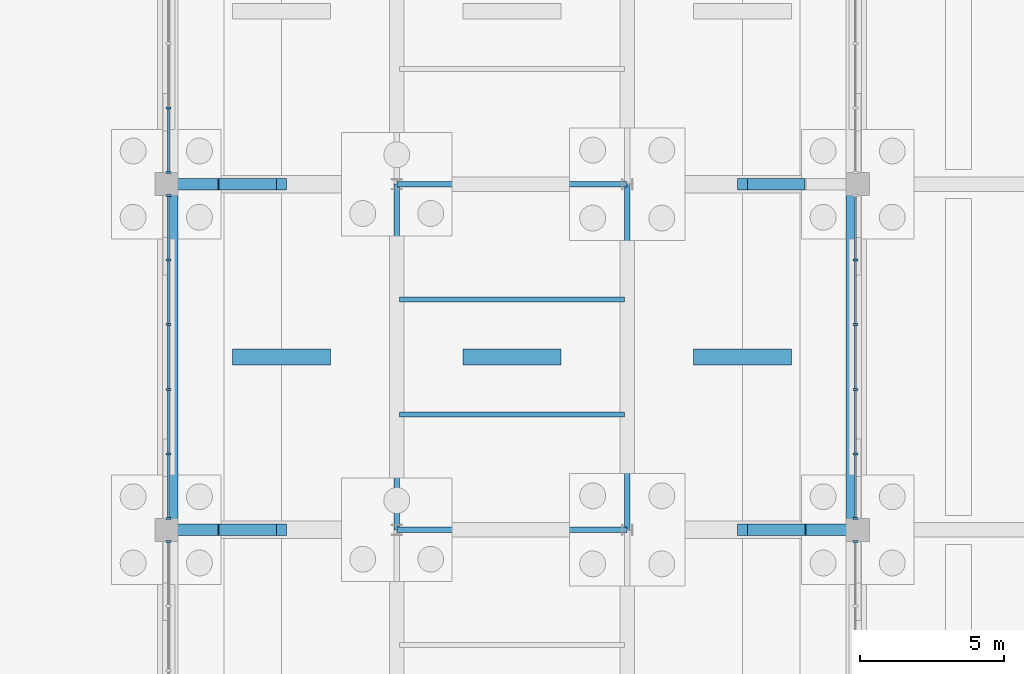
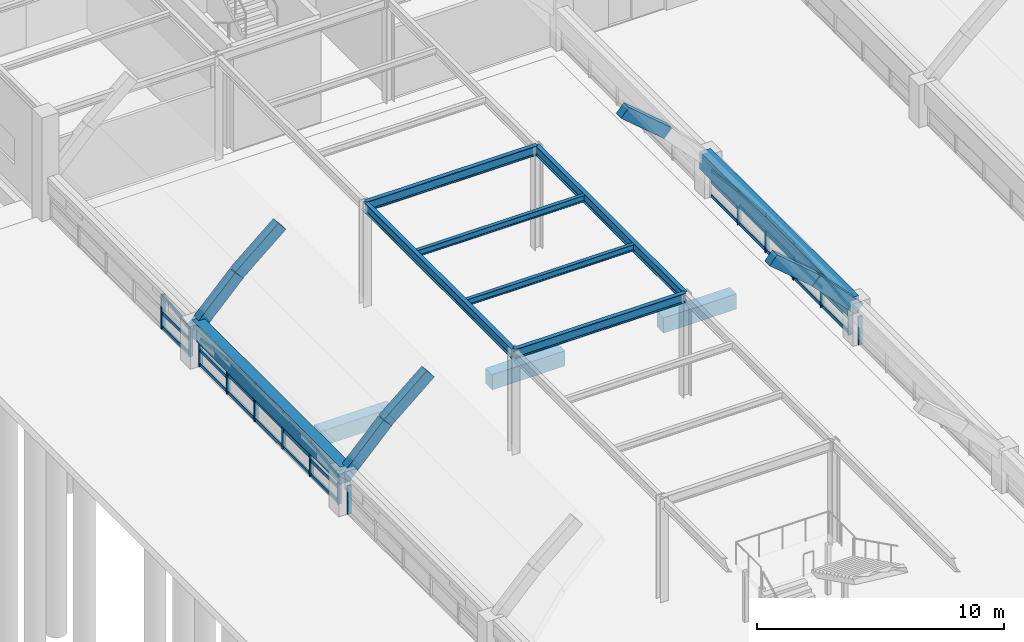
# One storey, part 52 of 129: 48 members, 18 beams, 5 elements without a shape of their own.
"""IFC4 building model written with IfcOpenShell, lengths in metres."""

from ifc_helpers import new_model, si_unit, direction, frame, origin, origin_2d, place, context, subcontext, project, spatial, rectangle, i_section, extrude, material, layer, layer_set, material_profile, profile_set, type_object, element, aggregate, save


model = new_model("IFC4")

# Units and contexts
model_context = context("Model", 3, precision=1e-05, world=origin(), true_north=direction((0.0, 1.0)))
body_context = subcontext(model_context, "Body", "Model", "MODEL_VIEW")
ifc_project = project(units=[si_unit("LENGTHUNIT", "METRE"), si_unit("AREAUNIT", "SQUARE_METRE"), si_unit("VOLUMEUNIT", "CUBIC_METRE"), si_unit("PLANEANGLEUNIT", "RADIAN"), si_unit("MASSUNIT", "GRAM", prefix="KILO")], contexts=[model_context])

# Site, building, storey
site_placement = place(None, origin())
site = spatial("IfcSite", under=ifc_project, at=site_placement, CompositionType="ELEMENT")
building_placement = place(site_placement, origin())
building = spatial("IfcBuilding", under=site, at=building_placement, Name="Sitalva Quay Ferry Terminal", CompositionType="ELEMENT")
storey_placement = place(building_placement, origin())
storey = spatial("IfcBuildingStorey", under=building, at=storey_placement, Name="L01", CompositionType="ELEMENT", Elevation=0.0)

# Beams
ifc_material_1 = material(Name="Concrete C40/50", Category="concrete")
ifc_material_profile_1 = material_profile(ifc_material_1, rectangle(XDim=0.39990234375, YDim=0.550048828125, at=origin_2d()), Name="RC400x550")
ifc_profile_set_1 = profile_set([ifc_material_profile_1], Name="Concrete C40/50")
beam_type_1 = type_object("IfcBeamType", Name="Beam_Arch_RC400x550", PredefinedType="BEAM", material=ifc_profile_set_1)
beam_placement = place(storey_placement, frame((8.0, 54.0, 1.594482421875), z_axis=(0.693983482825, 0.0, 0.719990920475), x_axis=(0.0, 1.0, 0.0)))
element("IfcBeam", 1, at=beam_placement, inside=storey, type_object=beam_type_1, Name="Vault V2 transverse arch rib 5.1", PredefinedType="BEAM", context=body_context, shape_type="SweptSolid", body=[
    extrude(rectangle(XDim=0.39990234375, YDim=0.550048828125, at=origin_2d()), origin(), (0.0, 0.0, 1.0), 2.8818359375),
])
for number, where, z_axis, x_axis, name in (
    (2, (10.0, 54.0, 3.689697265625), (0.761351968138, 0.0, 0.648338785368), (0.0, 1.0, 0.0), "Vault V2 transverse arch rib 5.2"),
    (3, (28.0, 54.0, 5.392822265625), (0.761351968138, 0.0, -0.648338785368), (0.0, 1.0, 0.0), "Vault V2 transverse arch rib 5.11"),
):
    element("IfcBeam", number, at=place(storey_placement, frame(where, z_axis=z_axis, x_axis=x_axis)), inside=storey, type_object=beam_type_1, Name=name, PredefinedType="BEAM", context=body_context, shape_type="SweptSolid", body=[
        extrude(rectangle(XDim=0.39990234375, YDim=0.550048828125, at=origin_2d()), origin(), (0.0, 0.0, 1.0), 2.626953125),
    ])
for number, where, z_axis, x_axis, name in (
    (4, (30.0, 54.0, 3.66943359375), (0.693983482825, 0.0, -0.719990920475), (0.0, 1.0, 0.0), "Vault V2 transverse arch rib 5.12"),
    (5, (8.0, 66.0, 1.594482421875), (0.693983482825, 0.0, 0.719990920475), (0.0, 1.0, 0.0), "Vault V2 transverse arch rib 6.1"),
):
    element("IfcBeam", number, at=place(storey_placement, frame(where, z_axis=z_axis, x_axis=x_axis)), inside=storey, type_object=beam_type_1, Name=name, PredefinedType="BEAM", context=body_context, shape_type="SweptSolid", body=[
        extrude(rectangle(XDim=0.39990234375, YDim=0.550048828125, at=origin_2d()), origin(), (0.0, 0.0, 1.0), 2.8818359375),
    ])
for number, where, z_axis, x_axis, name in (
    (6, (10.0, 66.0, 3.689697265625), (0.761351968138, 0.0, 0.648338785368), (0.0, 1.0, 0.0), "Vault V2 transverse arch rib 6.2"),
    (7, (28.0, 66.0, 5.392822265625), (0.761351968138, 0.0, -0.648338785368), (0.0, 1.0, 0.0), "Vault V2 transverse arch rib 6.11"),
):
    element("IfcBeam", number, at=place(storey_placement, frame(where, z_axis=z_axis, x_axis=x_axis)), inside=storey, type_object=beam_type_1, Name=name, PredefinedType="BEAM", context=body_context, shape_type="SweptSolid", body=[
        extrude(rectangle(XDim=0.39990234375, YDim=0.550048828125, at=origin_2d()), origin(), (0.0, 0.0, 1.0), 2.626953125),
    ])
ifc_material_2 = material(Name="Concrete C40/50", Category="concrete")
ifc_material_profile_2 = material_profile(ifc_material_2, rectangle(XDim=0.5, YDim=0.85009765625, at=origin_2d()), Name="RC500x850")
ifc_profile_set_2 = profile_set([ifc_material_profile_2], Name="Concrete C40/50")
beam_type_2 = type_object("IfcBeamType", Name="Beam_Edge_RC500x850", PredefinedType="BEAM", material=ifc_profile_set_2)
for number, where, z_axis, x_axis, name in (
    (8, (8.14990234375, 54.0, 1.675048828125), (0.0, 1.0, 0.0), (-1.0, 0.0, 0.0), "Vault V2 longitudinal springing edge beam W bay 5"),
    (9, (31.85009765625, 54.0, 1.675048828125), (0.0, 1.0, 0.0), (-1.0, 0.0, 0.0), "Vault V2 longitudinal springing edge beam E bay 5"),
):
    element("IfcBeam", number, at=place(storey_placement, frame(where, z_axis=z_axis, x_axis=x_axis)), inside=storey, type_object=beam_type_2, Name=name, PredefinedType="BEAM", context=body_context, shape_type="SweptSolid", body=[
        extrude(rectangle(XDim=0.5, YDim=0.85009765625, at=origin_2d()), origin(), (0.0, 0.0, 1.0), 12.0),
    ])
ifc_material_3 = material(Name="Structural Steel S355JR", Category="steel")
ifc_material_profile_3 = material_profile(ifc_material_3, i_section(OverallWidth=0.194091796875, OverallDepth=0.468994140625, WebThickness=0.0126953125, FlangeThickness=0.0205078125, FilletRadius=0.013916015625, at=origin_2d()), Name="W460x106")
ifc_profile_set_3 = profile_set([ifc_material_profile_3], Name="Structural Steel S355JR")
beam_type_3 = type_object("IfcBeamType", Name="Girder_W460x106", PredefinedType="USERDEFINED", material=ifc_profile_set_3)
for number, where, z_axis, x_axis, name in (
    (10, (16.0, 54.0, 4.885498046875), (1.0, 0.0, 0.0), (0.0, 1.0, 0.0), "L01 Primary X girder 0113"),
    (11, (16.0, 66.0, 4.885498046875), (1.0, 0.0, 0.0), (0.0, 1.0, 0.0), "L01 Primary X girder 0114"),
):
    element("IfcBeam", number, at=place(storey_placement, frame(where, z_axis=z_axis, x_axis=x_axis)), inside=storey, type_object=beam_type_3, Name=name, ObjectType="GIRDER", PredefinedType="USERDEFINED", context=body_context, shape_type="SweptSolid", body=[
        extrude(i_section(OverallWidth=0.194091796875, OverallDepth=0.468994140625, WebThickness=0.0126953125, FlangeThickness=0.0205078125, FilletRadius=0.013916015625, at=origin_2d()), origin(), (0.0, 0.0, 1.0), 8.0),
    ])
for number, where, z_axis, x_axis, name in (
    (12, (16.0, 54.0, 4.885498046875), (0.0, 1.0, 0.0), (-1.0, 0.0, 0.0), "L01 Primary Y girder 0118"),
    (13, (24.0, 54.0, 4.885498046875), (0.0, 1.0, 0.0), (-1.0, 0.0, 0.0), "L01 Primary Y girder 0122"),
):
    element("IfcBeam", number, at=place(storey_placement, frame(where, z_axis=z_axis, x_axis=x_axis)), inside=storey, type_object=beam_type_3, Name=name, ObjectType="GIRDER", PredefinedType="USERDEFINED", context=body_context, shape_type="SweptSolid", body=[
        extrude(i_section(OverallWidth=0.194091796875, OverallDepth=0.468994140625, WebThickness=0.0126953125, FlangeThickness=0.0205078125, FilletRadius=0.013916015625, at=origin_2d()), origin(), (0.0, 0.0, 1.0), 12.0),
    ])
ifc_material_4 = material(Name="Structural Steel S355JR", Category="steel")
ifc_material_profile_4 = material_profile(ifc_material_4, i_section(OverallWidth=0.166015625, OverallDepth=0.31298828125, WebThickness=0.006591796875, FlangeThickness=0.01123046875, FilletRadius=0.010986328125, at=origin_2d()), Name="W310x45")
ifc_profile_set_4 = profile_set([ifc_material_profile_4], Name="Structural Steel S355JR")
beam_type_4 = type_object("IfcBeamType", Name="Joist_W310x45", PredefinedType="JOIST", material=ifc_profile_set_4)
for number, where, z_axis, x_axis, name in (
    (14, (16.096923828125, 58.0, 4.96337890625), (1.0, 0.0, 0.0), (0.0, 1.0, 0.0), "L01 Secondary joist 0126"),
    (15, (16.096923828125, 62.0, 4.96337890625), (1.0, 0.0, 0.0), (0.0, 1.0, 0.0), "L01 Secondary joist 0127"),
):
    element("IfcBeam", number, at=place(storey_placement, frame(where, z_axis=z_axis, x_axis=x_axis)), inside=storey, type_object=beam_type_4, Name=name, PredefinedType="JOIST", context=body_context, shape_type="SweptSolid", body=[
        extrude(i_section(OverallWidth=0.166015625, OverallDepth=0.31298828125, WebThickness=0.006591796875, FlangeThickness=0.01123046875, FilletRadius=0.010986328125, at=origin_2d()), origin(), (0.0, 0.0, 1.0), 7.80615234375),
    ])

# Curtain wall, member
ifc_material_5 = material(Name="Anodised Aluminium & Low-E Glazing", Category="aluminium")
ifc_layer = layer(ifc_material_5, 0.159912109375)
ifc_layer_set = layer_set([ifc_layer], Name="Anodised Aluminium & Low-E Glazing")
curtain_wall_type = type_object("IfcCurtainWallType", Name="CW_VaultArch_Glazed", PredefinedType="USERDEFINED", material=ifc_layer_set)
curtain_wall_1_placement = place(storey_placement, origin())
curtain_wall_1 = element("IfcCurtainWall", 16, at=curtain_wall_1_placement, inside=storey, type_object=curtain_wall_type, Name="V2-W shallow-arch base glazing (CW-L01-021)", ObjectType="CURTAIN_WALL", PredefinedType="USERDEFINED")
ifc_material_6 = material(Name="Anodised Aluminium 6063-T6", Category="aluminium")
ifc_material_profile_5 = material_profile(ifc_material_6, rectangle(XDim=0.070068359375, YDim=0.181884765625, at=origin_2d()), Name="ALU70x182")
ifc_profile_set_5 = profile_set([ifc_material_profile_5], Name="Anodised Aluminium 6063-T6")
member_type_1 = type_object("IfcMemberType", Name="Mullion_Alu_65x170", PredefinedType="MULLION", material=ifc_profile_set_5)
member_1_placement = place(storey_placement, frame((8.080078125, 53.60009765625, 0.0), z_axis=(0.0, 0.0, 1.0), x_axis=(0.0, 1.0, 0.0)))
member_1 = element("IfcMember", 17, at=member_1_placement, type_object=member_type_1, Name="CW-L01-021-M5", PredefinedType="MULLION", context=body_context, shape_type="SweptSolid", body=[
    extrude(rectangle(XDim=0.070068359375, YDim=0.181884765625, at=origin_2d()), origin(), (0.0, 0.0, 1.0), 1.39990234375),
])
aggregate(curtain_wall_1, [member_1])

curtain_wall_2_placement = place(storey_placement, origin())
curtain_wall_2 = element("IfcCurtainWall", 18, at=curtain_wall_2_placement, inside=storey, type_object=curtain_wall_type, Name="V2-E shallow-arch base glazing (CW-L01-022)", ObjectType="CURTAIN_WALL", PredefinedType="USERDEFINED")
member_2_placement = place(storey_placement, frame((31.919921875, 53.60009765625, 0.0), z_axis=(0.0, 0.0, 1.0), x_axis=(0.0, 1.0, 0.0)))
member_2 = element("IfcMember", 19, at=member_2_placement, type_object=member_type_1, Name="CW-L01-022-M5", PredefinedType="MULLION", context=body_context, shape_type="SweptSolid", body=[
    extrude(rectangle(XDim=0.070068359375, YDim=0.181884765625, at=origin_2d()), origin(), (0.0, 0.0, 1.0), 1.39990234375),
])
aggregate(curtain_wall_2, [member_2])

# Curtain wall, members
curtain_wall_3_placement = place(storey_placement, origin())
curtain_wall_3 = element("IfcCurtainWall", 20, at=curtain_wall_3_placement, inside=storey, type_object=curtain_wall_type, Name="V2-W shallow-arch base glazing (CW-L01-024)", ObjectType="CURTAIN_WALL", PredefinedType="USERDEFINED")
member_3_placement = place(storey_placement, frame((8.080078125, 54.39990234375, 0.0), z_axis=(0.0, 0.0, 1.0), x_axis=(0.0, 1.0, 0.0)))
member_3 = element("IfcMember", 21, at=member_3_placement, type_object=member_type_1, Name="CW-L01-024-M0", PredefinedType="MULLION", context=body_context, shape_type="SweptSolid", body=[
    extrude(rectangle(XDim=0.070068359375, YDim=0.181884765625, at=origin_2d()), origin(), (0.0, 0.0, 1.0), 1.39990234375),
])
member_4_placement = place(storey_placement, frame((8.080078125, 56.639892578125, 0.0), z_axis=(0.0, 0.0, 1.0), x_axis=(0.0, 1.0, 0.0)))
member_4 = element("IfcMember", 22, at=member_4_placement, type_object=member_type_1, Name="CW-L01-024-M1", PredefinedType="MULLION", context=body_context, shape_type="SweptSolid", body=[
    extrude(rectangle(XDim=0.070068359375, YDim=0.181884765625, at=origin_2d()), origin(), (0.0, 0.0, 1.0), 1.707275390625),
])
member_5_placement = place(storey_placement, frame((8.080078125, 58.8798828125, 0.0), z_axis=(0.0, 0.0, 1.0), x_axis=(0.0, 1.0, 0.0)))
member_5 = element("IfcMember", 23, at=member_5_placement, type_object=member_type_1, Name="CW-L01-024-M2", PredefinedType="MULLION", context=body_context, shape_type="SweptSolid", body=[
    extrude(rectangle(XDim=0.070068359375, YDim=0.181884765625, at=origin_2d()), origin(), (0.0, 0.0, 1.0), 1.86083984375),
])
member_6_placement = place(storey_placement, frame((8.080078125, 61.1201171875, 0.0), z_axis=(0.0, 0.0, 1.0), x_axis=(0.0, 1.0, 0.0)))
member_6 = element("IfcMember", 24, at=member_6_placement, type_object=member_type_1, Name="CW-L01-024-M3", PredefinedType="MULLION", context=body_context, shape_type="SweptSolid", body=[
    extrude(rectangle(XDim=0.070068359375, YDim=0.181884765625, at=origin_2d()), origin(), (0.0, 0.0, 1.0), 1.86083984375),
])
member_7_placement = place(storey_placement, frame((8.080078125, 63.360107421875, 0.0), z_axis=(0.0, 0.0, 1.0), x_axis=(0.0, 1.0, 0.0)))
member_7 = element("IfcMember", 25, at=member_7_placement, type_object=member_type_1, Name="CW-L01-024-M4", PredefinedType="MULLION", context=body_context, shape_type="SweptSolid", body=[
    extrude(rectangle(XDim=0.070068359375, YDim=0.181884765625, at=origin_2d()), origin(), (0.0, 0.0, 1.0), 1.707275390625),
])
member_8_placement = place(storey_placement, frame((8.080078125, 65.60009765625, 0.0), z_axis=(0.0, 0.0, 1.0), x_axis=(0.0, 1.0, 0.0)))
member_8 = element("IfcMember", 26, at=member_8_placement, type_object=member_type_1, Name="CW-L01-024-M5", PredefinedType="MULLION", context=body_context, shape_type="SweptSolid", body=[
    extrude(rectangle(XDim=0.070068359375, YDim=0.181884765625, at=origin_2d()), origin(), (0.0, 0.0, 1.0), 1.39990234375),
])

curtain_wall_4_placement = place(storey_placement, origin())
curtain_wall_4 = element("IfcCurtainWall", 27, at=curtain_wall_4_placement, inside=storey, type_object=curtain_wall_type, Name="V2-E shallow-arch base glazing (CW-L01-025)", ObjectType="CURTAIN_WALL", PredefinedType="USERDEFINED")
member_9_placement = place(storey_placement, frame((31.919921875, 54.39990234375, 0.0), z_axis=(0.0, 0.0, 1.0), x_axis=(0.0, 1.0, 0.0)))
member_9 = element("IfcMember", 28, at=member_9_placement, type_object=member_type_1, Name="CW-L01-025-M0", PredefinedType="MULLION", context=body_context, shape_type="SweptSolid", body=[
    extrude(rectangle(XDim=0.070068359375, YDim=0.181884765625, at=origin_2d()), origin(), (0.0, 0.0, 1.0), 1.39990234375),
])
member_10_placement = place(storey_placement, frame((31.919921875, 56.639892578125, 0.0), z_axis=(0.0, 0.0, 1.0), x_axis=(0.0, 1.0, 0.0)))
member_10 = element("IfcMember", 29, at=member_10_placement, type_object=member_type_1, Name="CW-L01-025-M1", PredefinedType="MULLION", context=body_context, shape_type="SweptSolid", body=[
    extrude(rectangle(XDim=0.070068359375, YDim=0.181884765625, at=origin_2d()), origin(), (0.0, 0.0, 1.0), 1.707275390625),
])
member_11_placement = place(storey_placement, frame((31.919921875, 58.8798828125, 0.0), z_axis=(0.0, 0.0, 1.0), x_axis=(0.0, 1.0, 0.0)))
member_11 = element("IfcMember", 30, at=member_11_placement, type_object=member_type_1, Name="CW-L01-025-M2", PredefinedType="MULLION", context=body_context, shape_type="SweptSolid", body=[
    extrude(rectangle(XDim=0.070068359375, YDim=0.181884765625, at=origin_2d()), origin(), (0.0, 0.0, 1.0), 1.86083984375),
])
member_12_placement = place(storey_placement, frame((31.919921875, 61.1201171875, 0.0), z_axis=(0.0, 0.0, 1.0), x_axis=(0.0, 1.0, 0.0)))
member_12 = element("IfcMember", 31, at=member_12_placement, type_object=member_type_1, Name="CW-L01-025-M3", PredefinedType="MULLION", context=body_context, shape_type="SweptSolid", body=[
    extrude(rectangle(XDim=0.070068359375, YDim=0.181884765625, at=origin_2d()), origin(), (0.0, 0.0, 1.0), 1.86083984375),
])
member_13_placement = place(storey_placement, frame((31.919921875, 63.360107421875, 0.0), z_axis=(0.0, 0.0, 1.0), x_axis=(0.0, 1.0, 0.0)))
member_13 = element("IfcMember", 32, at=member_13_placement, type_object=member_type_1, Name="CW-L01-025-M4", PredefinedType="MULLION", context=body_context, shape_type="SweptSolid", body=[
    extrude(rectangle(XDim=0.070068359375, YDim=0.181884765625, at=origin_2d()), origin(), (0.0, 0.0, 1.0), 1.707275390625),
])

curtain_wall_5_placement = place(storey_placement, origin())
curtain_wall_5 = element("IfcCurtainWall", 33, at=curtain_wall_5_placement, inside=storey, type_object=curtain_wall_type, Name="V2-W shallow-arch base glazing (CW-L01-027)", ObjectType="CURTAIN_WALL", PredefinedType="USERDEFINED")
member_14_placement = place(storey_placement, frame((8.080078125, 66.39990234375, 0.0), z_axis=(0.0, 0.0, 1.0), x_axis=(0.0, 1.0, 0.0)))
member_14 = element("IfcMember", 34, at=member_14_placement, type_object=member_type_1, Name="CW-L01-027-M0", PredefinedType="MULLION", context=body_context, shape_type="SweptSolid", body=[
    extrude(rectangle(XDim=0.070068359375, YDim=0.181884765625, at=origin_2d()), origin(), (0.0, 0.0, 1.0), 1.39990234375),
])
member_15_placement = place(storey_placement, frame((8.080078125, 68.639892578125, 0.0), z_axis=(0.0, 0.0, 1.0), x_axis=(0.0, 1.0, 0.0)))
member_15 = element("IfcMember", 35, at=member_15_placement, type_object=member_type_1, Name="CW-L01-027-M1", PredefinedType="MULLION", context=body_context, shape_type="SweptSolid", body=[
    extrude(rectangle(XDim=0.070068359375, YDim=0.181884765625, at=origin_2d()), origin(), (0.0, 0.0, 1.0), 1.707275390625),
])

# Beams
ifc_material_7 = material(Name="Concrete C35/45", Category="concrete")
ifc_material_profile_6 = material_profile(ifc_material_7, rectangle(XDim=0.550048828125, YDim=0.75, at=origin_2d()), Name="RC550x750")
ifc_profile_set_6 = profile_set([ifc_material_profile_6], Name="Concrete C35/45")
beam_type_5 = type_object("IfcBeamType", Name="TBeam_Quay_RC550x750", PredefinedType="T_BEAM", material=ifc_profile_set_6)
for number, where, z_axis, x_axis, name in (
    (36, (10.300048828125, 60.0, -0.824951171875), (1.0, 0.0, 0.0), (0.0, 1.0, 0.0), "L01 Quay deck mid-bay T-beam 0086"),
    (37, (18.300048828125, 60.0, -0.824951171875), (1.0, 0.0, 0.0), (0.0, 1.0, 0.0), "L01 Quay deck mid-bay T-beam 0087"),
    (38, (26.300048828125, 60.0, -0.824951171875), (1.0, 0.0, 0.0), (0.0, 1.0, 0.0), "L01 Quay deck mid-bay T-beam 0088"),
):
    element("IfcBeam", number, at=place(storey_placement, frame(where, z_axis=z_axis, x_axis=x_axis)), inside=storey, type_object=beam_type_5, Name=name, PredefinedType="T_BEAM", context=body_context, shape_type="SweptSolid", body=[
        extrude(rectangle(XDim=0.550048828125, YDim=0.75, at=origin_2d()), origin(), (0.0, 0.0, 1.0), 3.39990234375),
    ])

# Member
ifc_material_8 = material(Name="Anodised Aluminium 6063-T6", Category="aluminium")
ifc_material_profile_7 = material_profile(ifc_material_8, rectangle(XDim=0.074951171875, YDim=0.155029296875, at=origin_2d()), Name="ALU75x155")
ifc_profile_set_7 = profile_set([ifc_material_profile_7], Name="Anodised Aluminium 6063-T6")
member_type_2 = type_object("IfcMemberType", Name="Transom_Alu_70x135", PredefinedType="MULLION", material=ifc_profile_set_7)
member_16_placement = place(storey_placement, frame((8.080078125, 54.43505859375, 0.077392578125), z_axis=(0.0, 1.0, 0.0), x_axis=(-1.0, 0.0, 0.0)))
member_16 = element("IfcMember", 39, at=member_16_placement, type_object=member_type_2, Name="CW-L01-024-T0-0", ObjectType="TRANSOM", PredefinedType="USERDEFINED", context=body_context, shape_type="SweptSolid", body=[
    extrude(rectangle(XDim=0.074951171875, YDim=0.155029296875, at=origin_2d()), origin(), (0.0, 0.0, 1.0), 2.169921875),
])

member_17_placement = place(storey_placement, frame((8.080078125, 54.43505859375, 0.777587890625), z_axis=(0.0, 1.0, 0.0), x_axis=(-1.0, 0.0, 0.0)))
member_17 = element("IfcMember", 40, at=member_17_placement, type_object=member_type_2, Name="CW-L01-024-T0-1", ObjectType="TRANSOM", PredefinedType="USERDEFINED", context=body_context, shape_type="SweptSolid", body=[
    extrude(rectangle(XDim=0.074951171875, YDim=0.155029296875, at=origin_2d()), origin(), (0.0, 0.0, 1.0), 2.169921875),
])

member_18_placement = place(storey_placement, frame((8.080078125, 54.43505859375, 1.322509765625), z_axis=(0.0, 0.990131365095, 0.140142355681), x_axis=(-1.0, 0.0, 0.0)))
member_18 = element("IfcMember", 41, at=member_18_placement, type_object=member_type_2, Name="CW-L01-024-T0-2", ObjectType="TRANSOM", PredefinedType="USERDEFINED", context=body_context, shape_type="SweptSolid", body=[
    extrude(rectangle(XDim=0.074951171875, YDim=0.155029296875, at=origin_2d()), origin(), (0.0, 0.0, 1.0), 2.191650390625),
])

member_19_placement = place(storey_placement, frame((8.080078125, 56.675048828125, 0.077392578125), z_axis=(0.0, 1.0, 0.0), x_axis=(-1.0, 0.0, 0.0)))
member_19 = element("IfcMember", 42, at=member_19_placement, type_object=member_type_2, Name="CW-L01-024-T1-0", ObjectType="TRANSOM", PredefinedType="USERDEFINED", context=body_context, shape_type="SweptSolid", body=[
    extrude(rectangle(XDim=0.074951171875, YDim=0.155029296875, at=origin_2d()), origin(), (0.0, 0.0, 1.0), 2.169921875),
])

member_20_placement = place(storey_placement, frame((8.080078125, 56.675048828125, 0.93115234375), z_axis=(0.0, 1.0, 0.0), x_axis=(-1.0, 0.0, 0.0)))
member_20 = element("IfcMember", 43, at=member_20_placement, type_object=member_type_2, Name="CW-L01-024-T1-1", ObjectType="TRANSOM", PredefinedType="USERDEFINED", context=body_context, shape_type="SweptSolid", body=[
    extrude(rectangle(XDim=0.074951171875, YDim=0.155029296875, at=origin_2d()), origin(), (0.0, 0.0, 1.0), 2.169921875),
])

member_21_placement = place(storey_placement, frame((8.080078125, 56.675048828125, 1.629638671875), z_axis=(0.0, 0.997505200677, 0.070593021065), x_axis=(-1.0, 0.0, 0.0)))
member_21 = element("IfcMember", 44, at=member_21_placement, type_object=member_type_2, Name="CW-L01-024-T1-2", ObjectType="TRANSOM", PredefinedType="USERDEFINED", context=body_context, shape_type="SweptSolid", body=[
    extrude(rectangle(XDim=0.074951171875, YDim=0.155029296875, at=origin_2d()), origin(), (0.0, 0.0, 1.0), 2.17529296875),
])

member_22_placement = place(storey_placement, frame((8.080078125, 58.9150390625, 0.077392578125), z_axis=(0.0, 1.0, 0.0), x_axis=(-1.0, 0.0, 0.0)))
member_22 = element("IfcMember", 45, at=member_22_placement, type_object=member_type_2, Name="CW-L01-024-T2-0", ObjectType="TRANSOM", PredefinedType="USERDEFINED", context=body_context, shape_type="SweptSolid", body=[
    extrude(rectangle(XDim=0.074951171875, YDim=0.155029296875, at=origin_2d()), origin(), (0.0, 0.0, 1.0), 2.169921875),
])

member_23_placement = place(storey_placement, frame((8.080078125, 58.9150390625, 1.0078125), z_axis=(0.0, 1.0, 0.0), x_axis=(-1.0, 0.0, 0.0)))
member_23 = element("IfcMember", 46, at=member_23_placement, type_object=member_type_2, Name="CW-L01-024-T2-1", ObjectType="TRANSOM", PredefinedType="USERDEFINED", context=body_context, shape_type="SweptSolid", body=[
    extrude(rectangle(XDim=0.074951171875, YDim=0.155029296875, at=origin_2d()), origin(), (0.0, 0.0, 1.0), 2.169921875),
])

member_24_placement = place(storey_placement, frame((8.080078125, 58.9150390625, 1.783203125), z_axis=(0.0, 1.0, 0.0), x_axis=(-1.0, 0.0, 0.0)))
member_24 = element("IfcMember", 47, at=member_24_placement, type_object=member_type_2, Name="CW-L01-024-T2-2", ObjectType="TRANSOM", PredefinedType="USERDEFINED", context=body_context, shape_type="SweptSolid", body=[
    extrude(rectangle(XDim=0.074951171875, YDim=0.155029296875, at=origin_2d()), origin(), (0.0, 0.0, 1.0), 2.169921875),
])

member_25_placement = place(storey_placement, frame((8.080078125, 61.155029296875, 0.077392578125), z_axis=(0.0, 1.0, 0.0), x_axis=(-1.0, 0.0, 0.0)))
member_25 = element("IfcMember", 48, at=member_25_placement, type_object=member_type_2, Name="CW-L01-024-T3-0", ObjectType="TRANSOM", PredefinedType="USERDEFINED", context=body_context, shape_type="SweptSolid", body=[
    extrude(rectangle(XDim=0.074951171875, YDim=0.155029296875, at=origin_2d()), origin(), (0.0, 0.0, 1.0), 2.169921875),
])

member_26_placement = place(storey_placement, frame((8.080078125, 61.155029296875, 0.93115234375), z_axis=(0.0, 1.0, 0.0), x_axis=(-1.0, 0.0, 0.0)))
member_26 = element("IfcMember", 49, at=member_26_placement, type_object=member_type_2, Name="CW-L01-024-T3-1", ObjectType="TRANSOM", PredefinedType="USERDEFINED", context=body_context, shape_type="SweptSolid", body=[
    extrude(rectangle(XDim=0.074951171875, YDim=0.155029296875, at=origin_2d()), origin(), (0.0, 0.0, 1.0), 2.169921875),
])

member_27_placement = place(storey_placement, frame((8.080078125, 61.155029296875, 1.783203125), z_axis=(0.0, 0.997505200677, -0.070593021065), x_axis=(-1.0, 0.0, 0.0)))
member_27 = element("IfcMember", 50, at=member_27_placement, type_object=member_type_2, Name="CW-L01-024-T3-2", ObjectType="TRANSOM", PredefinedType="USERDEFINED", context=body_context, shape_type="SweptSolid", body=[
    extrude(rectangle(XDim=0.074951171875, YDim=0.155029296875, at=origin_2d()), origin(), (0.0, 0.0, 1.0), 2.17529296875),
])

member_28_placement = place(storey_placement, frame((8.080078125, 63.39501953125, 0.077392578125), z_axis=(0.0, 1.0, 0.0), x_axis=(-1.0, 0.0, 0.0)))
member_28 = element("IfcMember", 51, at=member_28_placement, type_object=member_type_2, Name="CW-L01-024-T4-0", ObjectType="TRANSOM", PredefinedType="USERDEFINED", context=body_context, shape_type="SweptSolid", body=[
    extrude(rectangle(XDim=0.074951171875, YDim=0.155029296875, at=origin_2d()), origin(), (0.0, 0.0, 1.0), 2.169921875),
])

member_29_placement = place(storey_placement, frame((8.080078125, 63.39501953125, 0.777587890625), z_axis=(0.0, 1.0, 0.0), x_axis=(-1.0, 0.0, 0.0)))
member_29 = element("IfcMember", 52, at=member_29_placement, type_object=member_type_2, Name="CW-L01-024-T4-1", ObjectType="TRANSOM", PredefinedType="USERDEFINED", context=body_context, shape_type="SweptSolid", body=[
    extrude(rectangle(XDim=0.074951171875, YDim=0.155029296875, at=origin_2d()), origin(), (0.0, 0.0, 1.0), 2.169921875),
])

member_30_placement = place(storey_placement, frame((8.080078125, 63.39501953125, 1.629638671875), z_axis=(0.0, 0.990131365095, -0.140142355681), x_axis=(-1.0, 0.0, 0.0)))
member_30 = element("IfcMember", 53, at=member_30_placement, type_object=member_type_2, Name="CW-L01-024-T4-2", ObjectType="TRANSOM", PredefinedType="USERDEFINED", context=body_context, shape_type="SweptSolid", body=[
    extrude(rectangle(XDim=0.074951171875, YDim=0.155029296875, at=origin_2d()), origin(), (0.0, 0.0, 1.0), 2.191650390625),
])

aggregate(curtain_wall_3, [member_3, member_4, member_5, member_6, member_7, member_8, member_16, member_17, member_18, member_19, member_20, member_21, member_22, member_23, member_24, member_25, member_26, member_27, member_28, member_29, member_30])

member_31_placement = place(storey_placement, frame((31.919921875, 54.43505859375, 0.077392578125), z_axis=(0.0, 1.0, 0.0), x_axis=(-1.0, 0.0, 0.0)))
member_31 = element("IfcMember", 54, at=member_31_placement, type_object=member_type_2, Name="CW-L01-025-T0-0", ObjectType="TRANSOM", PredefinedType="USERDEFINED", context=body_context, shape_type="SweptSolid", body=[
    extrude(rectangle(XDim=0.074951171875, YDim=0.155029296875, at=origin_2d()), origin(), (0.0, 0.0, 1.0), 2.169921875),
])

member_32_placement = place(storey_placement, frame((31.919921875, 54.43505859375, 0.777587890625), z_axis=(0.0, 1.0, 0.0), x_axis=(-1.0, 0.0, 0.0)))
member_32 = element("IfcMember", 55, at=member_32_placement, type_object=member_type_2, Name="CW-L01-025-T0-1", ObjectType="TRANSOM", PredefinedType="USERDEFINED", context=body_context, shape_type="SweptSolid", body=[
    extrude(rectangle(XDim=0.074951171875, YDim=0.155029296875, at=origin_2d()), origin(), (0.0, 0.0, 1.0), 2.169921875),
])

member_33_placement = place(storey_placement, frame((31.919921875, 54.43505859375, 1.322509765625), z_axis=(0.0, 0.990131365095, 0.140142355681), x_axis=(-1.0, 0.0, 0.0)))
member_33 = element("IfcMember", 56, at=member_33_placement, type_object=member_type_2, Name="CW-L01-025-T0-2", ObjectType="TRANSOM", PredefinedType="USERDEFINED", context=body_context, shape_type="SweptSolid", body=[
    extrude(rectangle(XDim=0.074951171875, YDim=0.155029296875, at=origin_2d()), origin(), (0.0, 0.0, 1.0), 2.191650390625),
])

member_34_placement = place(storey_placement, frame((31.919921875, 56.675048828125, 0.077392578125), z_axis=(0.0, 1.0, 0.0), x_axis=(-1.0, 0.0, 0.0)))
member_34 = element("IfcMember", 57, at=member_34_placement, type_object=member_type_2, Name="CW-L01-025-T1-0", ObjectType="TRANSOM", PredefinedType="USERDEFINED", context=body_context, shape_type="SweptSolid", body=[
    extrude(rectangle(XDim=0.074951171875, YDim=0.155029296875, at=origin_2d()), origin(), (0.0, 0.0, 1.0), 2.169921875),
])

member_35_placement = place(storey_placement, frame((31.919921875, 56.675048828125, 0.93115234375), z_axis=(0.0, 1.0, 0.0), x_axis=(-1.0, 0.0, 0.0)))
member_35 = element("IfcMember", 58, at=member_35_placement, type_object=member_type_2, Name="CW-L01-025-T1-1", ObjectType="TRANSOM", PredefinedType="USERDEFINED", context=body_context, shape_type="SweptSolid", body=[
    extrude(rectangle(XDim=0.074951171875, YDim=0.155029296875, at=origin_2d()), origin(), (0.0, 0.0, 1.0), 2.169921875),
])

member_36_placement = place(storey_placement, frame((31.919921875, 56.675048828125, 1.629638671875), z_axis=(0.0, 0.997505200677, 0.070593021065), x_axis=(-1.0, 0.0, 0.0)))
member_36 = element("IfcMember", 59, at=member_36_placement, type_object=member_type_2, Name="CW-L01-025-T1-2", ObjectType="TRANSOM", PredefinedType="USERDEFINED", context=body_context, shape_type="SweptSolid", body=[
    extrude(rectangle(XDim=0.074951171875, YDim=0.155029296875, at=origin_2d()), origin(), (0.0, 0.0, 1.0), 2.17529296875),
])

member_37_placement = place(storey_placement, frame((31.919921875, 58.9150390625, 0.077392578125), z_axis=(0.0, 1.0, 0.0), x_axis=(-1.0, 0.0, 0.0)))
member_37 = element("IfcMember", 60, at=member_37_placement, type_object=member_type_2, Name="CW-L01-025-T2-0", ObjectType="TRANSOM", PredefinedType="USERDEFINED", context=body_context, shape_type="SweptSolid", body=[
    extrude(rectangle(XDim=0.074951171875, YDim=0.155029296875, at=origin_2d()), origin(), (0.0, 0.0, 1.0), 2.169921875),
])

member_38_placement = place(storey_placement, frame((31.919921875, 58.9150390625, 1.0078125), z_axis=(0.0, 1.0, 0.0), x_axis=(-1.0, 0.0, 0.0)))
member_38 = element("IfcMember", 61, at=member_38_placement, type_object=member_type_2, Name="CW-L01-025-T2-1", ObjectType="TRANSOM", PredefinedType="USERDEFINED", context=body_context, shape_type="SweptSolid", body=[
    extrude(rectangle(XDim=0.074951171875, YDim=0.155029296875, at=origin_2d()), origin(), (0.0, 0.0, 1.0), 2.169921875),
])

member_39_placement = place(storey_placement, frame((31.919921875, 58.9150390625, 1.783203125), z_axis=(0.0, 1.0, 0.0), x_axis=(-1.0, 0.0, 0.0)))
member_39 = element("IfcMember", 62, at=member_39_placement, type_object=member_type_2, Name="CW-L01-025-T2-2", ObjectType="TRANSOM", PredefinedType="USERDEFINED", context=body_context, shape_type="SweptSolid", body=[
    extrude(rectangle(XDim=0.074951171875, YDim=0.155029296875, at=origin_2d()), origin(), (0.0, 0.0, 1.0), 2.169921875),
])

member_40_placement = place(storey_placement, frame((31.919921875, 61.155029296875, 0.077392578125), z_axis=(0.0, 1.0, 0.0), x_axis=(-1.0, 0.0, 0.0)))
member_40 = element("IfcMember", 63, at=member_40_placement, type_object=member_type_2, Name="CW-L01-025-T3-0", ObjectType="TRANSOM", PredefinedType="USERDEFINED", context=body_context, shape_type="SweptSolid", body=[
    extrude(rectangle(XDim=0.074951171875, YDim=0.155029296875, at=origin_2d()), origin(), (0.0, 0.0, 1.0), 2.169921875),
])

member_41_placement = place(storey_placement, frame((31.919921875, 61.155029296875, 0.93115234375), z_axis=(0.0, 1.0, 0.0), x_axis=(-1.0, 0.0, 0.0)))
member_41 = element("IfcMember", 64, at=member_41_placement, type_object=member_type_2, Name="CW-L01-025-T3-1", ObjectType="TRANSOM", PredefinedType="USERDEFINED", context=body_context, shape_type="SweptSolid", body=[
    extrude(rectangle(XDim=0.074951171875, YDim=0.155029296875, at=origin_2d()), origin(), (0.0, 0.0, 1.0), 2.169921875),
])

member_42_placement = place(storey_placement, frame((31.919921875, 61.155029296875, 1.783203125), z_axis=(0.0, 0.997505200677, -0.070593021065), x_axis=(-1.0, 0.0, 0.0)))
member_42 = element("IfcMember", 65, at=member_42_placement, type_object=member_type_2, Name="CW-L01-025-T3-2", ObjectType="TRANSOM", PredefinedType="USERDEFINED", context=body_context, shape_type="SweptSolid", body=[
    extrude(rectangle(XDim=0.074951171875, YDim=0.155029296875, at=origin_2d()), origin(), (0.0, 0.0, 1.0), 2.17529296875),
])

member_43_placement = place(storey_placement, frame((31.919921875, 63.39501953125, 0.077392578125), z_axis=(0.0, 1.0, 0.0), x_axis=(-1.0, 0.0, 0.0)))
member_43 = element("IfcMember", 66, at=member_43_placement, type_object=member_type_2, Name="CW-L01-025-T4-0", ObjectType="TRANSOM", PredefinedType="USERDEFINED", context=body_context, shape_type="SweptSolid", body=[
    extrude(rectangle(XDim=0.074951171875, YDim=0.155029296875, at=origin_2d()), origin(), (0.0, 0.0, 1.0), 2.169921875),
])

member_44_placement = place(storey_placement, frame((31.919921875, 63.39501953125, 0.777587890625), z_axis=(0.0, 1.0, 0.0), x_axis=(-1.0, 0.0, 0.0)))
member_44 = element("IfcMember", 67, at=member_44_placement, type_object=member_type_2, Name="CW-L01-025-T4-1", ObjectType="TRANSOM", PredefinedType="USERDEFINED", context=body_context, shape_type="SweptSolid", body=[
    extrude(rectangle(XDim=0.074951171875, YDim=0.155029296875, at=origin_2d()), origin(), (0.0, 0.0, 1.0), 2.169921875),
])

member_45_placement = place(storey_placement, frame((31.919921875, 63.39501953125, 1.629638671875), z_axis=(0.0, 0.990131365095, -0.140142355681), x_axis=(-1.0, 0.0, 0.0)))
member_45 = element("IfcMember", 68, at=member_45_placement, type_object=member_type_2, Name="CW-L01-025-T4-2", ObjectType="TRANSOM", PredefinedType="USERDEFINED", context=body_context, shape_type="SweptSolid", body=[
    extrude(rectangle(XDim=0.074951171875, YDim=0.155029296875, at=origin_2d()), origin(), (0.0, 0.0, 1.0), 2.191650390625),
])

aggregate(curtain_wall_4, [member_9, member_10, member_11, member_12, member_13, member_31, member_32, member_33, member_34, member_35, member_36, member_37, member_38, member_39, member_40, member_41, member_42, member_43, member_44, member_45])

member_46_placement = place(storey_placement, frame((8.080078125, 66.43505859375, 0.077392578125), z_axis=(0.0, 1.0, 0.0), x_axis=(-1.0, 0.0, 0.0)))
member_46 = element("IfcMember", 69, at=member_46_placement, type_object=member_type_2, Name="CW-L01-027-T0-0", ObjectType="TRANSOM", PredefinedType="USERDEFINED", context=body_context, shape_type="SweptSolid", body=[
    extrude(rectangle(XDim=0.074951171875, YDim=0.155029296875, at=origin_2d()), origin(), (0.0, 0.0, 1.0), 2.169921875),
])

member_47_placement = place(storey_placement, frame((8.080078125, 66.43505859375, 0.777587890625), z_axis=(0.0, 1.0, 0.0), x_axis=(-1.0, 0.0, 0.0)))
member_47 = element("IfcMember", 70, at=member_47_placement, type_object=member_type_2, Name="CW-L01-027-T0-1", ObjectType="TRANSOM", PredefinedType="USERDEFINED", context=body_context, shape_type="SweptSolid", body=[
    extrude(rectangle(XDim=0.074951171875, YDim=0.155029296875, at=origin_2d()), origin(), (0.0, 0.0, 1.0), 2.169921875),
])

member_48_placement = place(storey_placement, frame((8.080078125, 66.43505859375, 1.322509765625), z_axis=(0.0, 0.990131365095, 0.140142355681), x_axis=(-1.0, 0.0, 0.0)))
member_48 = element("IfcMember", 71, at=member_48_placement, type_object=member_type_2, Name="CW-L01-027-T0-2", ObjectType="TRANSOM", PredefinedType="USERDEFINED", context=body_context, shape_type="SweptSolid", body=[
    extrude(rectangle(XDim=0.074951171875, YDim=0.155029296875, at=origin_2d()), origin(), (0.0, 0.0, 1.0), 2.191650390625),
])

aggregate(curtain_wall_5, [member_14, member_15, member_46, member_47, member_48])

save(model, "model.ifc")
